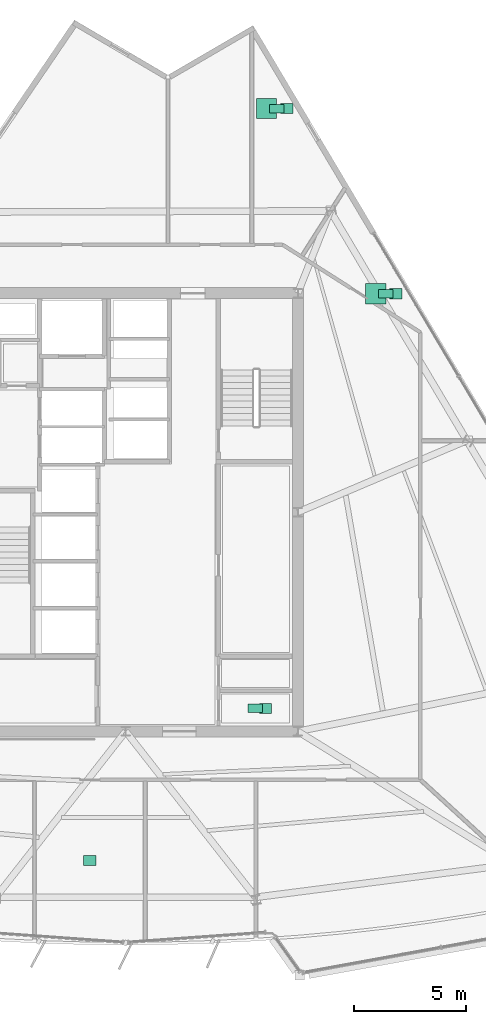
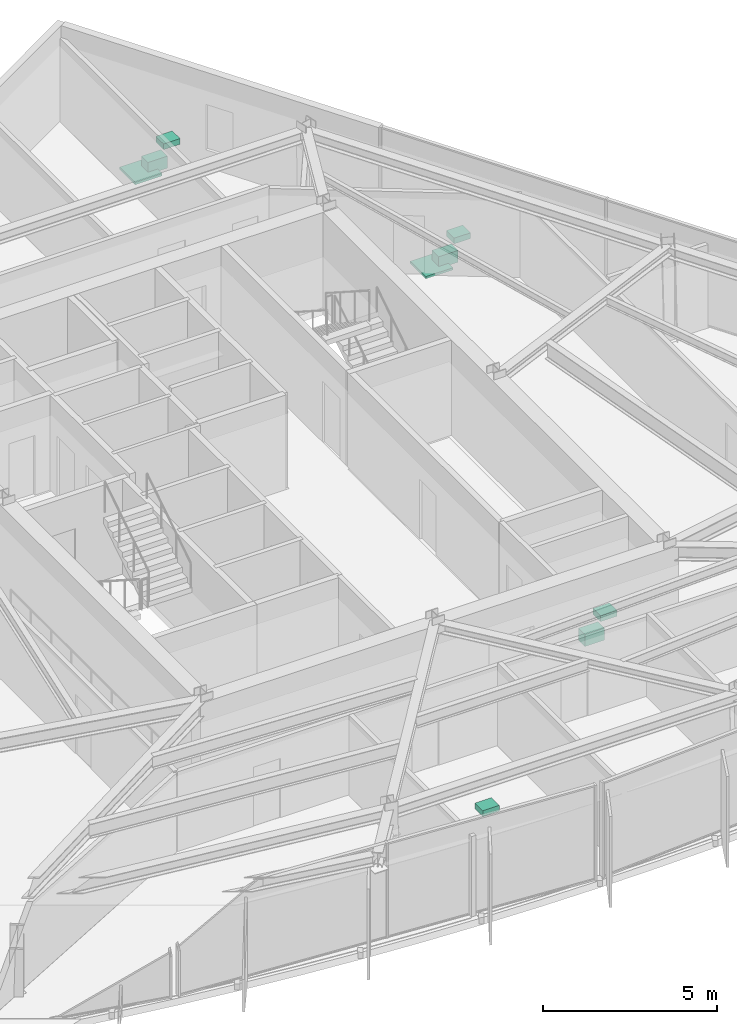
# One storey, part 13 of 13: 9 sanitary terminals.
"""IFC4 building model written with IfcOpenShell, lengths in metres."""

from ifc_helpers import new_model, si_unit, direction, frame, origin, origin_2d, place, context, subcontext, project, spatial, rectangle, extrude, material, type_object, element, save


model = new_model("IFC4")

# Units and contexts
model_context = context("Model", 3, precision=1e-05, world=origin(), true_north=direction((0.0, 1.0)))
body_context = subcontext(model_context, "Body", "Model", "MODEL_VIEW")
ifc_project = project(units=[si_unit("LENGTHUNIT", "METRE"), si_unit("AREAUNIT", "SQUARE_METRE"), si_unit("VOLUMEUNIT", "CUBIC_METRE"), si_unit("PLANEANGLEUNIT", "RADIAN"), si_unit("MASSUNIT", "GRAM", prefix="KILO")], contexts=[model_context])

# Site, building, storey
site_placement = place(None, origin())
site = spatial("IfcSite", under=ifc_project, at=site_placement, CompositionType="ELEMENT")
building_placement = place(site_placement, origin())
building = spatial("IfcBuilding", under=site, at=building_placement, Name="Savorim Split Tower", CompositionType="ELEMENT")
storey_placement = place(building_placement, frame((0.0, 0.0, 174.60009765625)))
storey = spatial("IfcBuildingStorey", under=building, at=storey_placement, Name="L46", CompositionType="ELEMENT", Elevation=174.60009765625)

# Sanitary terminals
ifc_material = material(Name="Vitreous China Sanitaryware")
sanitary_terminal_type_1 = type_object("IfcSanitaryTerminalType", Name="SAN-SHW-900", PredefinedType="SHOWER", material=ifc_material)
for number, where, z_axis, x_axis, name in (
    (1, (11.184326171875, 10.170654296875, -0.000244140625), (0.0, 0.0, 1.0), (1.0, 0.0, 0.0), "L46 Shared Bathroom Shower"),
    (2, (6.298583984375, 18.45361328125, -0.000244140625), (0.0, 0.0, 1.0), (1.0, 0.0, 0.0), "L46 Shared Bathroom Shower"),
):
    element("IfcSanitaryTerminal", number, at=place(storey_placement, frame(where, z_axis=z_axis, x_axis=x_axis)), inside=storey, type_object=sanitary_terminal_type_1, Name=name, PredefinedType="SHOWER", context=body_context, shape_type="SweptSolid", body=[
        extrude(rectangle(XDim=0.89990234375, YDim=0.89990234375, at=origin_2d()), origin(), (0.0, 0.0, 1.0), 0.080078125),
    ])
sanitary_terminal_type_2 = type_object("IfcSanitaryTerminalType", Name="SAN-WC-PAN", PredefinedType="TOILETPAN", material=ifc_material)
for number, where, z_axis, x_axis, name in (
    (3, (5.800048828125, -8.3701171875, 0.0), (0.0, 0.0, 1.0), (1.0, 0.0, 0.0), "L46 Accessible WC WC Pan"),
    (4, (11.634521484375, 10.170654296875, 0.0), (0.0, 0.0, 1.0), (1.0, 0.0, 0.0), "L46 Shared Bathroom WC Pan"),
    (5, (6.748779296875, 18.45361328125, 0.0), (0.0, 0.0, 1.0), (1.0, 0.0, 0.0), "L46 Shared Bathroom WC Pan"),
):
    element("IfcSanitaryTerminal", number, at=place(storey_placement, frame(where, z_axis=z_axis, x_axis=x_axis)), inside=storey, type_object=sanitary_terminal_type_2, Name=name, PredefinedType="TOILETPAN", context=body_context, shape_type="SweptSolid", body=[
        extrude(rectangle(XDim=0.64990234375, YDim=0.3798828125, at=origin_2d()), origin(), (0.0, 0.0, 1.0), 0.419921875),
    ])
sanitary_terminal_type_3 = type_object("IfcSanitaryTerminalType", Name="SAN-WHB-550", PredefinedType="WASHHANDBASIN", material=ifc_material)
for number, where, z_axis, x_axis, name in (
    (6, (6.25, -8.3701171875, 0.7197265625), (0.0, 0.0, 1.0), (1.0, 0.0, 0.0), "L46 Accessible WC Washhand Basin"),
    (7, (-1.602783203125, -15.18359375, 0.75), (0.0, 0.0, 1.0), (1.0, 0.0, 0.0), "L46 Shared Kitchen Utility Sink"),
    (8, (12.08447265625, 10.170654296875, 0.7197265625), (0.0, 0.0, 1.0), (1.0, 0.0, 0.0), "L46 Shared Bathroom Washhand Basin"),
    (9, (7.19873046875, 18.45361328125, 0.7197265625), (0.0, 0.0, 1.0), (1.0, 0.0, 0.0), "L46 Shared Bathroom Washhand Basin"),
):
    element("IfcSanitaryTerminal", number, at=place(storey_placement, frame(where, z_axis=z_axis, x_axis=x_axis)), inside=storey, type_object=sanitary_terminal_type_3, Name=name, PredefinedType="WASHHANDBASIN", context=body_context, shape_type="SweptSolid", body=[
        extrude(rectangle(XDim=0.550048828125, YDim=0.449951171875, at=origin_2d()), origin(), (0.0, 0.0, 1.0), 0.199951171875),
    ])

save(model, "model.ifc")
